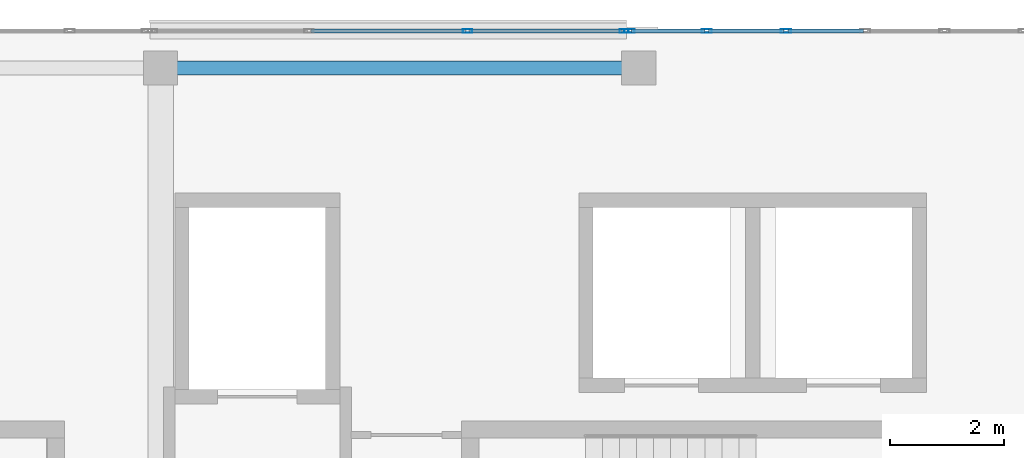
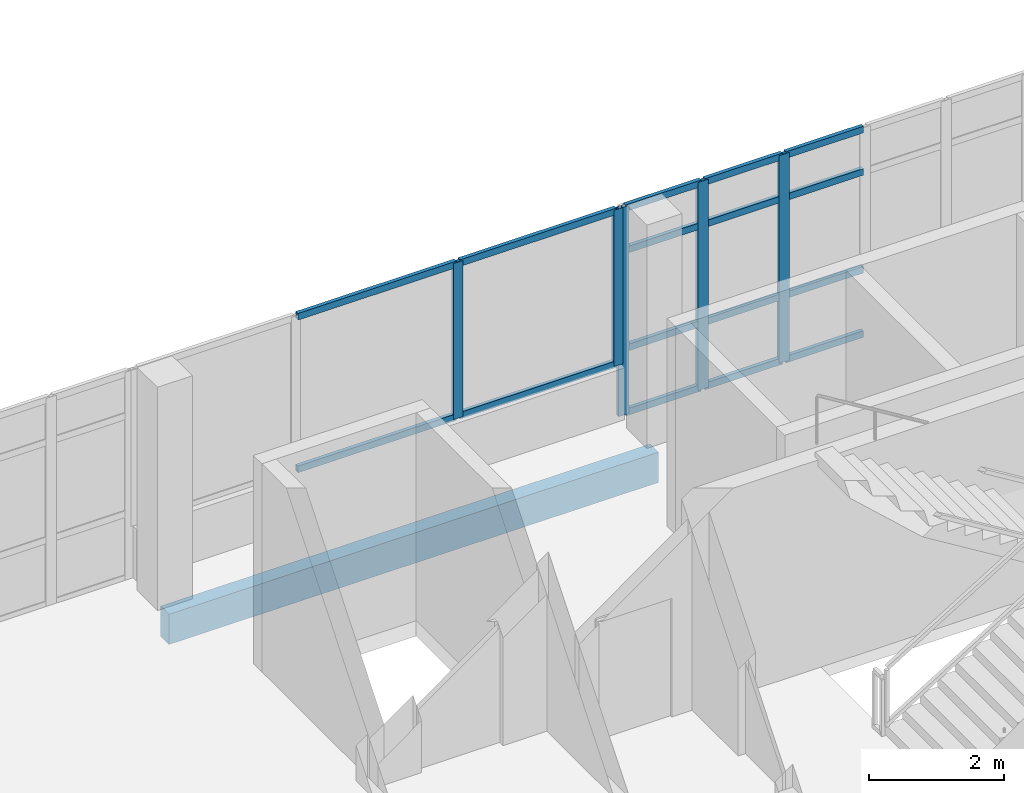
# One storey, part 33 of 78: 21 members, 1 beam, 2 elements without a shape of their own.
"""IFC4 building model written with IfcOpenShell, lengths in metres."""

from ifc_helpers import new_model, si_unit, direction, frame, origin, origin_2d, place, context, subcontext, project, spatial, rectangle, hollow_rectangle, extrude, material, material_profile, profile_set, type_object, element, aggregate, save


model = new_model("IFC4")

# Units and contexts
model_context = context("Model", 3, precision=1e-05, world=origin(), true_north=direction((0.0, 1.0)))
body_context = subcontext(model_context, "Body", "Model", "MODEL_VIEW")
ifc_project = project(units=[si_unit("LENGTHUNIT", "METRE"), si_unit("AREAUNIT", "SQUARE_METRE"), si_unit("VOLUMEUNIT", "CUBIC_METRE"), si_unit("PLANEANGLEUNIT", "RADIAN"), si_unit("MASSUNIT", "GRAM", prefix="KILO")], contexts=[model_context])

# Site, building, storey
site_placement = place(None, origin())
site = spatial("IfcSite", under=ifc_project, at=site_placement, CompositionType="ELEMENT")
building_placement = place(site_placement, origin())
building = spatial("IfcBuilding", under=site, at=building_placement, Name="Selatvlak General Hospital", CompositionType="ELEMENT")
storey_placement = place(building_placement, frame((0.0, 0.0, 23.25)))
storey = spatial("IfcBuildingStorey", under=building, at=storey_placement, Name="L05", CompositionType="ELEMENT", Elevation=23.25)

# Beam
ifc_material_1 = material(Name="Concrete C40/50", Category="concrete")
ifc_material_profile_1 = material_profile(ifc_material_1, rectangle(XDim=0.25, YDim=0.550048828125, at=origin_2d()), Name="RC-SP 250x550")
ifc_profile_set_1 = profile_set([ifc_material_profile_1], Name="Concrete C40/50")
beam_type = type_object("IfcBeamType", Name="BM-SP2", PredefinedType="SPANDREL", material=ifc_profile_set_1)
beam_placement = place(storey_placement, frame((98.39990234375, 119.35009765625, -0.554931640625), z_axis=(1.0, 0.0, 0.0), x_axis=(0.0, 1.0, 0.0)))
element("IfcBeam", 1, at=beam_placement, inside=storey, type_object=beam_type, Name="Beam BMR-L05-1981", PredefinedType="SPANDREL", context=body_context, shape_type="SweptSolid", body=[
    extrude(rectangle(XDim=0.25, YDim=0.550048828125, at=origin_2d()), origin(), (0.0, 0.0, 1.0), 8.400146484375),
])

# Curtain wall, members
ifc_material_2 = material(Name="Solar-control Low-E double glazing", Category="glass")
curtain_wall_type_1 = type_object("IfcCurtainWallType", Name="CW-CW-02", PredefinedType="USERDEFINED", material=ifc_material_2)
curtain_wall_1_placement = place(storey_placement, origin())
curtain_wall_1 = element("IfcCurtainWall", 2, at=curtain_wall_1_placement, inside=storey, type_object=curtain_wall_type_1, Name="Glazed facade curtain wall CW-L05-0556", ObjectType="UNITISED CURTAIN WALL", PredefinedType="USERDEFINED")
ifc_material_3 = material(Name="Dark anodised aluminium mullion", Category="aluminium")
ifc_material_profile_2 = material_profile(ifc_material_3, hollow_rectangle(XDim=0.06494140625, YDim=0.159912109375, WallThickness=0.00390625, at=origin_2d()), Name="AL-MUL 65x160x4")
ifc_profile_set_2 = profile_set([ifc_material_profile_2], Name="Dark anodised aluminium mullion")
member_type_1 = type_object("IfcMemberType", Name="CWM-01", PredefinedType="MULLION", material=ifc_profile_set_2)
member_1_placement = place(storey_placement, frame((103.791015625, 119.999755859375, 0.93994140625), z_axis=(0.0, 0.0, 1.0), x_axis=(-0.000119774825, 0.999999992827, 0.0)))
member_1 = element("IfcMember", 3, at=member_1_placement, type_object=member_type_1, Name="CW-02 mullion 3", PredefinedType="MULLION", context=body_context, shape_type="SweptSolid", body=[
    extrude(hollow_rectangle(XDim=0.06494140625, YDim=0.159912109375, WallThickness=0.00390625, at=origin_2d()), origin(), (0.0, 0.0, 1.0), 2.8349609375),
])
member_2_placement = place(storey_placement, frame((106.54150390625, 120.0, 0.93994140625), z_axis=(0.0, 0.0, 1.0), x_axis=(-0.000119774825, 0.999999992827, 0.0)))
member_2 = element("IfcMember", 4, at=member_2_placement, type_object=member_type_1, Name="CW-02 mullion 4", PredefinedType="MULLION", context=body_context, shape_type="SweptSolid", body=[
    extrude(hollow_rectangle(XDim=0.06494140625, YDim=0.159912109375, WallThickness=0.00390625, at=origin_2d()), origin(), (0.0, 0.0, 1.0), 2.8349609375),
])

curtain_wall_type_2 = type_object("IfcCurtainWallType", Name="CW-CW-04", PredefinedType="USERDEFINED", material=ifc_material_2)
curtain_wall_2_placement = place(storey_placement, origin())
curtain_wall_2 = element("IfcCurtainWall", 5, at=curtain_wall_2_placement, inside=storey, type_object=curtain_wall_type_2, Name="Glazed facade curtain wall CW-L05-0557", ObjectType="STICK GLAZING WALL", PredefinedType="USERDEFINED")
ifc_material_profile_3 = material_profile(ifc_material_3, hollow_rectangle(XDim=0.06494140625, YDim=0.179931640625, WallThickness=0.00439453125, at=origin_2d()), Name="AL-MUL 65x180x4.5")
ifc_profile_set_3 = profile_set([ifc_material_profile_3], Name="Dark anodised aluminium mullion")
member_type_2 = type_object("IfcMemberType", Name="CWM-02", PredefinedType="MULLION", material=ifc_profile_set_3)
member_3_placement = place(storey_placement, frame((106.636474609375, 120.0, 0.0), z_axis=(0.0, 0.0, 1.0), x_axis=(0.0, 1.0, 0.0)))
member_3 = element("IfcMember", 6, at=member_3_placement, type_object=member_type_2, Name="CW-04 mullion 1", PredefinedType="MULLION", context=body_context, shape_type="SweptSolid", body=[
    extrude(hollow_rectangle(XDim=0.06494140625, YDim=0.179931640625, WallThickness=0.00439453125, at=origin_2d()), origin(), (0.0, 0.0, 1.0), 3.77490234375),
])
member_4_placement = place(storey_placement, frame((107.99560546875, 120.0, 0.0), z_axis=(0.0, 0.0, 1.0), x_axis=(0.0, 1.0, 0.0)))
member_4 = element("IfcMember", 7, at=member_4_placement, type_object=member_type_2, Name="CW-04 mullion 2", PredefinedType="MULLION", context=body_context, shape_type="SweptSolid", body=[
    extrude(hollow_rectangle(XDim=0.06494140625, YDim=0.179931640625, WallThickness=0.00439453125, at=origin_2d()), origin(), (0.0, 0.0, 1.0), 3.77490234375),
])
member_5_placement = place(storey_placement, frame((109.386962890625, 120.0, 0.0), z_axis=(0.0, 0.0, 1.0), x_axis=(0.0, 1.0, 0.0)))
member_5 = element("IfcMember", 8, at=member_5_placement, type_object=member_type_2, Name="CW-04 mullion 3", PredefinedType="MULLION", context=body_context, shape_type="SweptSolid", body=[
    extrude(hollow_rectangle(XDim=0.06494140625, YDim=0.179931640625, WallThickness=0.00439453125, at=origin_2d()), origin(), (0.0, 0.0, 1.0), 3.77490234375),
])

# Member
ifc_material_profile_4 = material_profile(ifc_material_3, hollow_rectangle(XDim=0.06494140625, YDim=0.1201171875, WallThickness=0.00390625, at=origin_2d()), Name="AL-TRN 65x120x4")
ifc_profile_set_4 = profile_set([ifc_material_profile_4], Name="Dark anodised aluminium mullion")
member_type_3 = type_object("IfcMemberType", Name="CWT-01", PredefinedType="USERDEFINED", material=ifc_profile_set_4)
member_6_placement = place(storey_placement, frame((101.04052734375, 119.999267578125, 0.972412109375), z_axis=(0.999999983864, 0.000179646094, 0.0), x_axis=(-0.000179646094, 0.999999983864, 0.0)))
member_6 = element("IfcMember", 9, at=member_6_placement, type_object=member_type_3, Name="CW-02 transom 2.1", ObjectType="TRANSOM", PredefinedType="USERDEFINED", context=body_context, shape_type="SweptSolid", body=[
    extrude(hollow_rectangle(XDim=0.06494140625, YDim=0.1201171875, WallThickness=0.00390625, at=origin_2d()), origin(), (0.0, 0.0, 1.0), 2.718017578125),
])

member_7_placement = place(storey_placement, frame((101.04052734375, 119.999267578125, 3.742431640625), z_axis=(0.999999983864, 0.000179646094, 0.0), x_axis=(-0.000179646094, 0.999999983864, 0.0)))
member_7 = element("IfcMember", 10, at=member_7_placement, type_object=member_type_3, Name="CW-02 transom 2.2", ObjectType="TRANSOM", PredefinedType="USERDEFINED", context=body_context, shape_type="SweptSolid", body=[
    extrude(hollow_rectangle(XDim=0.06494140625, YDim=0.1201171875, WallThickness=0.00390625, at=origin_2d()), origin(), (0.0, 0.0, 1.0), 2.718017578125),
])

member_8_placement = place(storey_placement, frame((103.823486328125, 119.999755859375, 0.972412109375), z_axis=(0.999999995868, 9.0909091e-05, 0.0), x_axis=(-9.0909091e-05, 0.999999995868, 0.0)))
member_8 = element("IfcMember", 11, at=member_8_placement, type_object=member_type_3, Name="CW-02 transom 3.1", ObjectType="TRANSOM", PredefinedType="USERDEFINED", context=body_context, shape_type="SweptSolid", body=[
    extrude(hollow_rectangle(XDim=0.06494140625, YDim=0.1201171875, WallThickness=0.00390625, at=origin_2d()), origin(), (0.0, 0.0, 1.0), 2.685546875),
])

member_9_placement = place(storey_placement, frame((103.823486328125, 119.999755859375, 3.742431640625), z_axis=(0.999999995868, 9.0909091e-05, 0.0), x_axis=(-9.0909091e-05, 0.999999995868, 0.0)))
member_9 = element("IfcMember", 12, at=member_9_placement, type_object=member_type_3, Name="CW-02 transom 3.2", ObjectType="TRANSOM", PredefinedType="USERDEFINED", context=body_context, shape_type="SweptSolid", body=[
    extrude(hollow_rectangle(XDim=0.06494140625, YDim=0.1201171875, WallThickness=0.00390625, at=origin_2d()), origin(), (0.0, 0.0, 1.0), 2.685546875),
])

aggregate(curtain_wall_1, [member_1, member_2, member_6, member_7, member_8, member_9])

member_10_placement = place(storey_placement, frame((106.6689453125, 120.0, 0.032470703125), z_axis=(1.0, 0.0, 0.0), x_axis=(0.0, 1.0, 0.0)))
member_10 = element("IfcMember", 13, at=member_10_placement, type_object=member_type_3, Name="CW-04 transom 1.1", ObjectType="TRANSOM", PredefinedType="USERDEFINED", context=body_context, shape_type="SweptSolid", body=[
    extrude(hollow_rectangle(XDim=0.06494140625, YDim=0.1201171875, WallThickness=0.00390625, at=origin_2d()), origin(), (0.0, 0.0, 1.0), 1.2939453125),
])

member_11_placement = place(storey_placement, frame((106.6689453125, 120.0, 1.199951171875), z_axis=(1.0, 0.0, 0.0), x_axis=(0.0, 1.0, 0.0)))
member_11 = element("IfcMember", 14, at=member_11_placement, type_object=member_type_3, Name="CW-04 transom 1.2", ObjectType="TRANSOM", PredefinedType="USERDEFINED", context=body_context, shape_type="SweptSolid", body=[
    extrude(hollow_rectangle(XDim=0.06494140625, YDim=0.1201171875, WallThickness=0.00390625, at=origin_2d()), origin(), (0.0, 0.0, 1.0), 1.2939453125),
])

member_12_placement = place(storey_placement, frame((106.6689453125, 120.0, 2.97509765625), z_axis=(1.0, 0.0, 0.0), x_axis=(0.0, 1.0, 0.0)))
member_12 = element("IfcMember", 15, at=member_12_placement, type_object=member_type_3, Name="CW-04 transom 1.3", ObjectType="TRANSOM", PredefinedType="USERDEFINED", context=body_context, shape_type="SweptSolid", body=[
    extrude(hollow_rectangle(XDim=0.06494140625, YDim=0.1201171875, WallThickness=0.00390625, at=origin_2d()), origin(), (0.0, 0.0, 1.0), 1.2939453125),
])

member_13_placement = place(storey_placement, frame((106.6689453125, 120.0, 3.742431640625), z_axis=(1.0, 0.0, 0.0), x_axis=(0.0, 1.0, 0.0)))
member_13 = element("IfcMember", 16, at=member_13_placement, type_object=member_type_3, Name="CW-04 transom 1.4", ObjectType="TRANSOM", PredefinedType="USERDEFINED", context=body_context, shape_type="SweptSolid", body=[
    extrude(hollow_rectangle(XDim=0.06494140625, YDim=0.1201171875, WallThickness=0.00390625, at=origin_2d()), origin(), (0.0, 0.0, 1.0), 1.2939453125),
])

member_14_placement = place(storey_placement, frame((108.028076171875, 120.0, 0.032470703125), z_axis=(1.0, 0.0, 0.0), x_axis=(0.0, 1.0, 0.0)))
member_14 = element("IfcMember", 17, at=member_14_placement, type_object=member_type_3, Name="CW-04 transom 2.1", ObjectType="TRANSOM", PredefinedType="USERDEFINED", context=body_context, shape_type="SweptSolid", body=[
    extrude(hollow_rectangle(XDim=0.06494140625, YDim=0.1201171875, WallThickness=0.00390625, at=origin_2d()), origin(), (0.0, 0.0, 1.0), 1.326416015625),
])

member_15_placement = place(storey_placement, frame((108.028076171875, 120.0, 1.199951171875), z_axis=(1.0, 0.0, 0.0), x_axis=(0.0, 1.0, 0.0)))
member_15 = element("IfcMember", 18, at=member_15_placement, type_object=member_type_3, Name="CW-04 transom 2.2", ObjectType="TRANSOM", PredefinedType="USERDEFINED", context=body_context, shape_type="SweptSolid", body=[
    extrude(hollow_rectangle(XDim=0.06494140625, YDim=0.1201171875, WallThickness=0.00390625, at=origin_2d()), origin(), (0.0, 0.0, 1.0), 1.326416015625),
])

member_16_placement = place(storey_placement, frame((108.028076171875, 120.0, 2.97509765625), z_axis=(1.0, 0.0, 0.0), x_axis=(0.0, 1.0, 0.0)))
member_16 = element("IfcMember", 19, at=member_16_placement, type_object=member_type_3, Name="CW-04 transom 2.3", ObjectType="TRANSOM", PredefinedType="USERDEFINED", context=body_context, shape_type="SweptSolid", body=[
    extrude(hollow_rectangle(XDim=0.06494140625, YDim=0.1201171875, WallThickness=0.00390625, at=origin_2d()), origin(), (0.0, 0.0, 1.0), 1.326416015625),
])

member_17_placement = place(storey_placement, frame((108.028076171875, 120.0, 3.742431640625), z_axis=(1.0, 0.0, 0.0), x_axis=(0.0, 1.0, 0.0)))
member_17 = element("IfcMember", 20, at=member_17_placement, type_object=member_type_3, Name="CW-04 transom 2.4", ObjectType="TRANSOM", PredefinedType="USERDEFINED", context=body_context, shape_type="SweptSolid", body=[
    extrude(hollow_rectangle(XDim=0.06494140625, YDim=0.1201171875, WallThickness=0.00390625, at=origin_2d()), origin(), (0.0, 0.0, 1.0), 1.326416015625),
])

member_18_placement = place(storey_placement, frame((109.41943359375, 120.0, 0.032470703125), z_axis=(1.0, 0.0, 0.0), x_axis=(0.0, 1.0, 0.0)))
member_18 = element("IfcMember", 21, at=member_18_placement, type_object=member_type_3, Name="CW-04 transom 3.1", ObjectType="TRANSOM", PredefinedType="USERDEFINED", context=body_context, shape_type="SweptSolid", body=[
    extrude(hollow_rectangle(XDim=0.06494140625, YDim=0.1201171875, WallThickness=0.00390625, at=origin_2d()), origin(), (0.0, 0.0, 1.0), 1.32666015625),
])

member_19_placement = place(storey_placement, frame((109.41943359375, 120.0, 1.199951171875), z_axis=(1.0, 0.0, 0.0), x_axis=(0.0, 1.0, 0.0)))
member_19 = element("IfcMember", 22, at=member_19_placement, type_object=member_type_3, Name="CW-04 transom 3.2", ObjectType="TRANSOM", PredefinedType="USERDEFINED", context=body_context, shape_type="SweptSolid", body=[
    extrude(hollow_rectangle(XDim=0.06494140625, YDim=0.1201171875, WallThickness=0.00390625, at=origin_2d()), origin(), (0.0, 0.0, 1.0), 1.32666015625),
])

member_20_placement = place(storey_placement, frame((109.41943359375, 120.0, 2.97509765625), z_axis=(1.0, 0.0, 0.0), x_axis=(0.0, 1.0, 0.0)))
member_20 = element("IfcMember", 23, at=member_20_placement, type_object=member_type_3, Name="CW-04 transom 3.3", ObjectType="TRANSOM", PredefinedType="USERDEFINED", context=body_context, shape_type="SweptSolid", body=[
    extrude(hollow_rectangle(XDim=0.06494140625, YDim=0.1201171875, WallThickness=0.00390625, at=origin_2d()), origin(), (0.0, 0.0, 1.0), 1.32666015625),
])

member_21_placement = place(storey_placement, frame((109.41943359375, 120.0, 3.742431640625), z_axis=(1.0, 0.0, 0.0), x_axis=(0.0, 1.0, 0.0)))
member_21 = element("IfcMember", 24, at=member_21_placement, type_object=member_type_3, Name="CW-04 transom 3.4", ObjectType="TRANSOM", PredefinedType="USERDEFINED", context=body_context, shape_type="SweptSolid", body=[
    extrude(hollow_rectangle(XDim=0.06494140625, YDim=0.1201171875, WallThickness=0.00390625, at=origin_2d()), origin(), (0.0, 0.0, 1.0), 1.32666015625),
])

aggregate(curtain_wall_2, [member_3, member_4, member_5, member_10, member_11, member_12, member_13, member_14, member_15, member_16, member_17, member_18, member_19, member_20, member_21])

save(model, "model.ifc")
